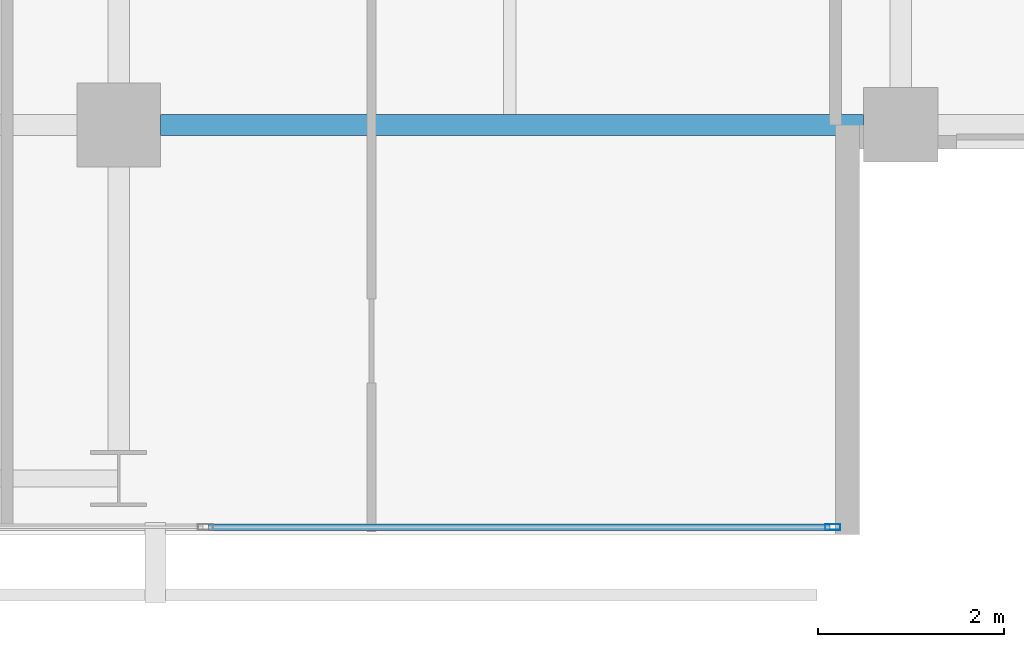
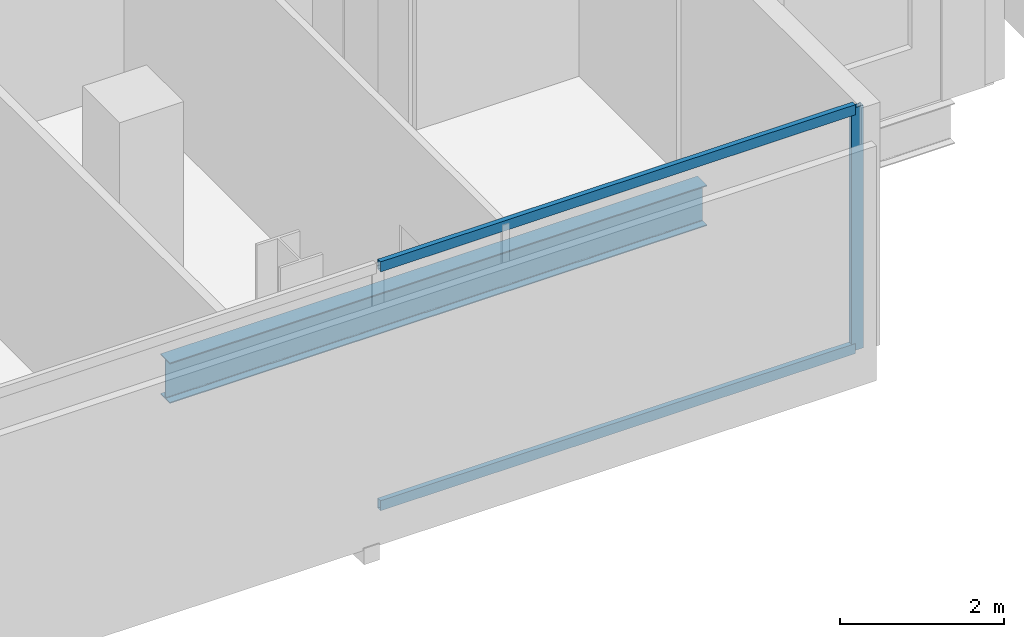
# One storey, part 13 of 34: 3 members, 1 beam, 1 element without a shape of its own.
"""IFC4 building model written with IfcOpenShell, lengths in metres."""

from ifc_helpers import new_model, si_unit, direction, frame, origin, origin_2d, place, context, subcontext, project, spatial, hollow_rectangle, i_section, extrude, material, layer, layer_set, material_profile, profile_set, type_object, element, aggregate, save


model = new_model("IFC4")

# Units and contexts
model_context = context("Model", 3, precision=1e-05, world=origin(), true_north=direction((0.0, 1.0)))
body_context = subcontext(model_context, "Body", "Model", "MODEL_VIEW")
ifc_project = project(units=[si_unit("LENGTHUNIT", "METRE"), si_unit("AREAUNIT", "SQUARE_METRE"), si_unit("VOLUMEUNIT", "CUBIC_METRE"), si_unit("PLANEANGLEUNIT", "RADIAN"), si_unit("MASSUNIT", "GRAM", prefix="KILO")], contexts=[model_context])

# Site, building, storey
site_placement = place(None, origin())
site = spatial("IfcSite", under=ifc_project, at=site_placement, CompositionType="ELEMENT")
building_placement = place(site_placement, origin())
building = spatial("IfcBuilding", under=site, at=building_placement, Name="Maruvema Waterfront Hotel and Observation Tower", CompositionType="ELEMENT")
storey_placement = place(building_placement, frame((0.0, 0.0, 192.85009765625)))
storey = spatial("IfcBuildingStorey", under=building, at=storey_placement, Name="L47", CompositionType="ELEMENT", Elevation=192.85009765625)

# Curtain wall, members
ifc_material_1 = material(Name="Anodised bronze aluminium and solar-control low-E IGU", Category="aluminium")
ifc_layer = layer(ifc_material_1, 0.159912109375, Name="Zone 2 Amber Inner Thermal Curtain Wall System CW-03")
ifc_layer_set = layer_set([ifc_layer], Name="Anodised bronze aluminium and solar-control low-E IGU")
curtain_wall_type = type_object("IfcCurtainWallType", Name="Zone 2 Amber Inner Thermal Curtain Wall System CW-03", PredefinedType="USERDEFINED", material=ifc_layer_set)
curtain_wall_placement = place(storey_placement, origin())
curtain_wall = element("IfcCurtainWall", 1, at=curtain_wall_placement, inside=storey, type_object=curtain_wall_type, Name="L47 Curtain Wall CW-L47-S", ObjectType="UNITISED CURTAIN WALL", PredefinedType="USERDEFINED")
ifc_material_2 = material(Name="Anodised architectural bronze aluminium", Category="aluminium")
ifc_material_profile_1 = material_profile(ifc_material_2, hollow_rectangle(XDim=0.070068359375, YDim=0.14990234375, WallThickness=0.00390625, at=origin_2d()), Name="ALU-T70x150")
ifc_profile_set_1 = profile_set([ifc_material_profile_1], Name="Anodised architectural bronze aluminium")
member_type_1 = type_object("IfcMemberType", Name="Curtain Wall Horizontal Transom ALU-T70x150", PredefinedType="USERDEFINED", material=ifc_profile_set_1)
member_1_placement = place(storey_placement, frame((51.36328125, 4.679931640625, 0.02978515625), z_axis=(1.0, 0.0, 0.0), x_axis=(0.0, 1.0, 0.0)))
member_1 = element("IfcMember", 2, at=member_1_placement, type_object=member_type_1, Name="CW-03 transom 6.1", ObjectType="TRANSOM", PredefinedType="USERDEFINED", context=body_context, shape_type="SweptSolid", body=[
    extrude(hollow_rectangle(XDim=0.070068359375, YDim=0.14990234375, WallThickness=0.00390625, at=origin_2d()), origin(), (0.0, 0.0, 1.0), 6.6767578125),
])
member_2_placement = place(storey_placement, frame((51.36328125, 4.679931640625, 3.579833984375), z_axis=(1.0, 0.0, 0.0), x_axis=(0.0, 1.0, 0.0)))
member_2 = element("IfcMember", 3, at=member_2_placement, type_object=member_type_1, Name="CW-03 transom 6.2", ObjectType="TRANSOM", PredefinedType="USERDEFINED", context=body_context, shape_type="SweptSolid", body=[
    extrude(hollow_rectangle(XDim=0.070068359375, YDim=0.14990234375, WallThickness=0.00390625, at=origin_2d()), origin(), (0.0, 0.0, 1.0), 6.6767578125),
])
ifc_material_3 = material(Name="Anodised architectural bronze aluminium", Category="aluminium")
ifc_material_profile_2 = material_profile(ifc_material_3, hollow_rectangle(XDim=0.06494140625, YDim=0.1650390625, WallThickness=0.00390625, at=origin_2d()), Name="ALU-M65x165")
ifc_profile_set_2 = profile_set([ifc_material_profile_2], Name="Anodised architectural bronze aluminium")
member_type_2 = type_object("IfcMemberType", Name="Curtain Wall Primary Mullion ALU-M65x165", PredefinedType="MULLION", material=ifc_profile_set_2)
member_3_placement = place(storey_placement, frame((58.070068359375, 4.679931640625, 0.0), z_axis=(0.0, 0.0, 1.0), x_axis=(0.0, 1.0, 0.0)))
member_3 = element("IfcMember", 4, at=member_3_placement, type_object=member_type_2, Name="CW-03 mullion 7", PredefinedType="MULLION", context=body_context, shape_type="SweptSolid", body=[
    extrude(hollow_rectangle(XDim=0.06494140625, YDim=0.1650390625, WallThickness=0.00390625, at=origin_2d()), origin(), (0.0, 0.0, 1.0), 3.60986328125),
])
aggregate(curtain_wall, [member_3, member_1, member_2])

# Beam
ifc_material_4 = material(Name="Steel ASTM A572 Grade 50", Category="steel")
ifc_material_profile_3 = material_profile(ifc_material_4, i_section(OverallWidth=0.22802734375, OverallDepth=0.60302734375, WebThickness=0.010498046875, FlangeThickness=0.014892578125, FilletRadius=0.01806640625, at=origin_2d()), Name="W610x101.0")
ifc_profile_set_3 = profile_set([ifc_material_profile_3], Name="Steel ASTM A572 Grade 50")
beam_type = type_object("IfcBeamType", Name="Primary Floor Girder W610x101.0", PredefinedType="BEAM", material=ifc_profile_set_3)
beam_placement = place(storey_placement, frame((50.85009765625, 9.0, -0.54150390625), z_axis=(1.0, 0.0, 0.0), x_axis=(0.0, 1.0, 0.0)))
element("IfcBeam", 5, at=beam_placement, inside=storey, type_object=beam_type, Name="L47 Floor Girder EW-09", PredefinedType="BEAM", context=body_context, shape_type="SweptSolid", body=[
    extrude(i_section(OverallWidth=0.22802734375, OverallDepth=0.60302734375, WebThickness=0.010498046875, FlangeThickness=0.014892578125, FilletRadius=0.01806640625, at=origin_2d()), origin(), (0.0, 0.0, 1.0), 7.5498046875),
])

save(model, "model.ifc")
